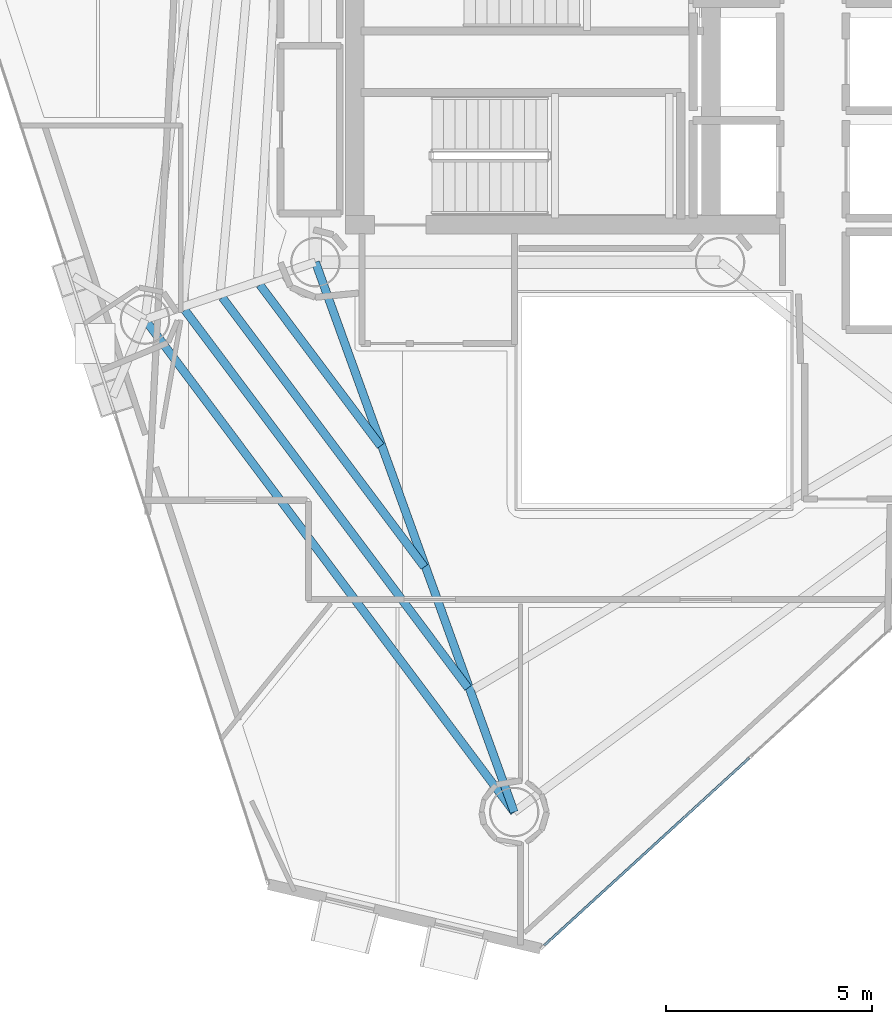
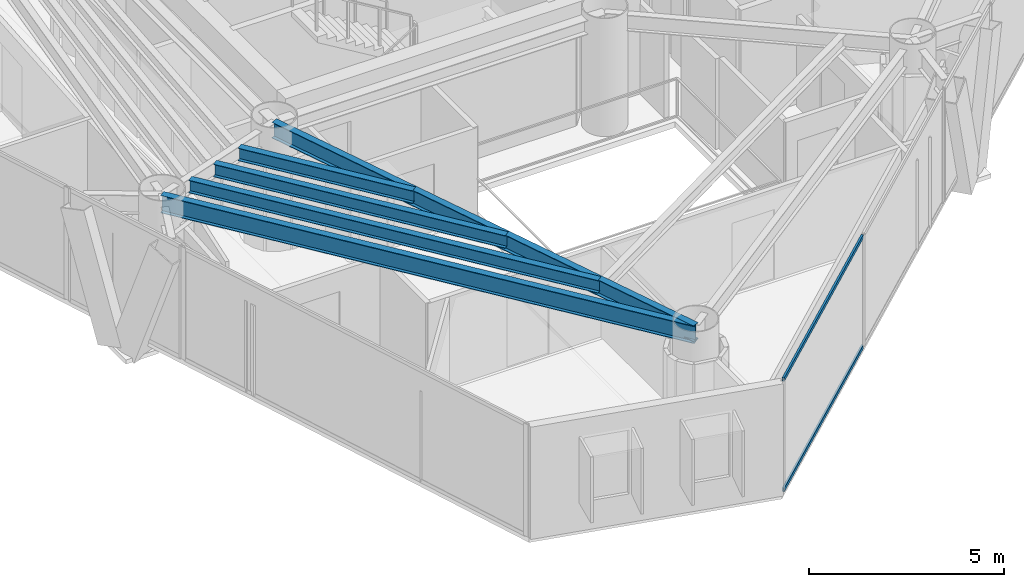
# One storey, part 4 of 24: 5 beams, 2 members, 1 element without a shape of its own.
"""IFC4 building model written with IfcOpenShell, lengths in metres."""

from ifc_helpers import new_model, si_unit, direction, frame, origin, origin_2d, place, context, subcontext, project, spatial, hollow_rectangle, i_section, extrude, material, layer, layer_set, material_profile, profile_set, type_object, element, aggregate, save


model = new_model("IFC4")

# Units and contexts
model_context = context("Model", 3, precision=1e-05, world=origin(), true_north=direction((0.0, 1.0)))
body_context = subcontext(model_context, "Body", "Model", "MODEL_VIEW")
ifc_project = project(units=[si_unit("LENGTHUNIT", "METRE"), si_unit("AREAUNIT", "SQUARE_METRE"), si_unit("VOLUMEUNIT", "CUBIC_METRE"), si_unit("PLANEANGLEUNIT", "RADIAN"), si_unit("MASSUNIT", "GRAM", prefix="KILO")], contexts=[model_context])

# Site, building, storey
site_placement = place(None, origin())
site = spatial("IfcSite", under=ifc_project, at=site_placement, CompositionType="ELEMENT")
building_placement = place(site_placement, origin())
building = spatial("IfcBuilding", under=site, at=building_placement, Name="Qianvela Tower", CompositionType="ELEMENT")
storey_placement = place(building_placement, frame((0.0, 0.0, 222.5)))
storey = spatial("IfcBuildingStorey", under=building, at=storey_placement, Name="L57", CompositionType="ELEMENT", Elevation=222.5)

# Beams
ifc_material_1 = material(Name="Steel Q355B", Category="steel")
ifc_material_profile_1 = material_profile(ifc_material_1, i_section(OverallWidth=0.199951171875, OverallDepth=0.39990234375, WebThickness=0.008056640625, FlangeThickness=0.012939453125, at=origin_2d()), Name="HN400x200x8x13")
ifc_profile_set_1 = profile_set([ifc_material_profile_1], Name="Steel Q355B")
beam_type_1 = type_object("IfcBeamType", Name="BM-HN400-JOIST", PredefinedType="JOIST", material=ifc_profile_set_1)
beam_1_placement = place(storey_placement, frame((27.254150390625, 23.300537109375, 3.318115234375), z_axis=(0.599735620965, -0.800198216035, 0.0), x_axis=(0.800198216035, 0.599735620965, 0.0)))
element("IfcBeam", 1, at=beam_1_placement, inside=storey, type_object=beam_type_1, Name="L57 Secondary Composite Floor Joist 4.1", PredefinedType="JOIST", context=body_context, shape_type="SweptSolid", body=[
    extrude(i_section(OverallWidth=0.199951171875, OverallDepth=0.39990234375, WebThickness=0.008056640625, FlangeThickness=0.012939453125, at=origin_2d()), origin(), (0.0, 0.0, 1.0), 4.87646484375),
])
beam_2_placement = place(storey_placement, frame((26.345947265625, 22.994873046875, 3.318115234375), z_axis=(0.59975572356, -0.800183149071, 0.0), x_axis=(0.800183149071, 0.59975572356, 0.0)))
element("IfcBeam", 2, at=beam_2_placement, inside=storey, type_object=beam_type_1, Name="L57 Secondary Composite Floor Joist 4.2", PredefinedType="JOIST", context=body_context, shape_type="SweptSolid", body=[
    extrude(i_section(OverallWidth=0.199951171875, OverallDepth=0.39990234375, WebThickness=0.008056640625, FlangeThickness=0.012939453125, at=origin_2d()), origin(), (0.0, 0.0, 1.0), 8.156494140625),
])
beam_3_placement = place(storey_placement, frame((25.437744140625, 22.68896484375, 3.318115234375), z_axis=(0.599760871552, -0.800179290507, 0.0), x_axis=(0.800179290507, 0.599760871552, 0.0)))
element("IfcBeam", 3, at=beam_3_placement, inside=storey, type_object=beam_type_1, Name="L57 Secondary Composite Floor Joist 4.3", PredefinedType="JOIST", context=body_context, shape_type="SweptSolid", body=[
    extrude(i_section(OverallWidth=0.199951171875, OverallDepth=0.39990234375, WebThickness=0.008056640625, FlangeThickness=0.012939453125, at=origin_2d()), origin(), (0.0, 0.0, 1.0), 11.43603515625),
])
ifc_material_2 = material(Name="Steel Q355B", Category="steel")
ifc_material_profile_2 = material_profile(ifc_material_2, i_section(OverallWidth=0.199951171875, OverallDepth=0.5, WebThickness=0.010009765625, FlangeThickness=0.01611328125, at=origin_2d()), Name="HN500x200x10x16")
ifc_profile_set_2 = profile_set([ifc_material_profile_2], Name="Steel Q355B")
beam_type_2 = type_object("IfcBeamType", Name="BM-HN500-GIRD", PredefinedType="BEAM", material=ifc_profile_set_2)
beam_4_placement = place(storey_placement, frame((28.60009765625, 23.85009765625, 3.26806640625), z_axis=(0.339851607149, -0.940479072132, 0.0), x_axis=(0.940479072132, 0.339851607149, 0.0)))
element("IfcBeam", 4, at=beam_4_placement, inside=storey, type_object=beam_type_2, Name="L57 Radial Primary Floor Girder 5", PredefinedType="BEAM", context=body_context, shape_type="SweptSolid", body=[
    extrude(i_section(OverallWidth=0.199951171875, OverallDepth=0.5, WebThickness=0.010009765625, FlangeThickness=0.01611328125, at=origin_2d()), origin(), (0.0, 0.0, 1.0), 14.162109375),
])
ifc_material_3 = material(Name="Steel Q355B", Category="steel")
ifc_material_profile_3 = material_profile(ifc_material_3, i_section(OverallWidth=0.199951171875, OverallDepth=0.550048828125, WebThickness=0.010009765625, FlangeThickness=0.01611328125, at=origin_2d()), Name="HN550x200x10x16")
ifc_profile_set_3 = profile_set([ifc_material_profile_3], Name="Steel Q355B")
beam_type_3 = type_object("IfcBeamType", Name="BM-HN550-GIRD", PredefinedType="BEAM", material=ifc_profile_set_3)
beam_5_placement = place(storey_placement, frame((24.471923828125, 22.4599609375, 3.242919921875), z_axis=(0.599761529533, -0.800178797327, 0.0), x_axis=(0.800178797327, 0.599761529533, 0.0)))
element("IfcBeam", 5, at=beam_5_placement, inside=storey, type_object=beam_type_3, Name="L57 Perimeter Ring Spandrel Girder 4", PredefinedType="BEAM", context=body_context, shape_type="SweptSolid", body=[
    extrude(i_section(OverallWidth=0.199951171875, OverallDepth=0.550048828125, WebThickness=0.010009765625, FlangeThickness=0.01611328125, at=origin_2d()), origin(), (0.0, 0.0, 1.0), 14.907958984375),
])

# Curtain wall, members
ifc_material_4 = material(Name="Anodised Architectural Aluminium and Low-E Glass", Category="aluminium")
ifc_layer = layer(ifc_material_4, 0.159912109375)
ifc_layer_set = layer_set([ifc_layer], Name="Anodised Architectural Aluminium and Low-E Glass")
curtain_wall_type = type_object("IfcCurtainWallType", Name="CW-COLIV-Z56", PredefinedType="USERDEFINED", material=ifc_layer_set)
curtain_wall_placement = place(storey_placement, origin())
curtain_wall = element("IfcCurtainWall", 6, at=curtain_wall_placement, inside=storey, type_object=curtain_wall_type, Name="L57 CW-COLIV-Z56 Curtain Wall 06A", ObjectType="CURTAIN_WALL_SYSTEM", PredefinedType="USERDEFINED")
ifc_material_5 = material(Name="Anodised Architectural Aluminium 6063-T6", Category="aluminium")
ifc_material_profile_4 = material_profile(ifc_material_5, hollow_rectangle(XDim=0.06005859375, YDim=0.114990234375, WallThickness=0.00390625, at=origin_2d()), Name="ALU-TRAN-60x115")
ifc_profile_set_4 = profile_set([ifc_material_profile_4], Name="Anodised Architectural Aluminium 6063-T6")
member_type = type_object("IfcMemberType", Name="CW-COLIV-Z56-TRAN", PredefinedType="USERDEFINED", material=ifc_profile_set_4)
member_1_placement = place(storey_placement, frame((34.138671875, 7.29833984375, 0.030029296875), z_axis=(0.738089692819, 0.674702605119, 0.0), x_axis=(-0.674702605119, 0.738089692819, 0.0)))
member_1 = element("IfcMember", 7, at=member_1_placement, type_object=member_type, Name="CW-5 transom 1.1", ObjectType="TRANSOM", PredefinedType="USERDEFINED", context=body_context, shape_type="SweptSolid", body=[
    extrude(hollow_rectangle(XDim=0.06005859375, YDim=0.114990234375, WallThickness=0.00390625, at=origin_2d()), origin(), (0.0, 0.0, 1.0), 6.732666015625),
])
member_2_placement = place(storey_placement, frame((34.138671875, 7.29833984375, 3.489990234375), z_axis=(0.738089692819, 0.674702605119, 0.0), x_axis=(-0.674702605119, 0.738089692819, 0.0)))
member_2 = element("IfcMember", 8, at=member_2_placement, type_object=member_type, Name="CW-5 transom 1.2", ObjectType="TRANSOM", PredefinedType="USERDEFINED", context=body_context, shape_type="SweptSolid", body=[
    extrude(hollow_rectangle(XDim=0.06005859375, YDim=0.114990234375, WallThickness=0.00390625, at=origin_2d()), origin(), (0.0, 0.0, 1.0), 6.732666015625),
])
aggregate(curtain_wall, [member_1, member_2])

save(model, "model.ifc")
